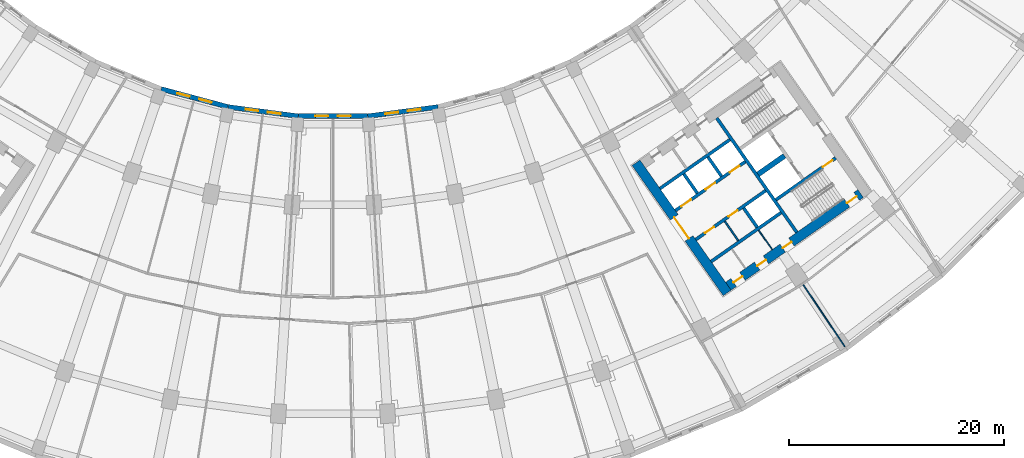
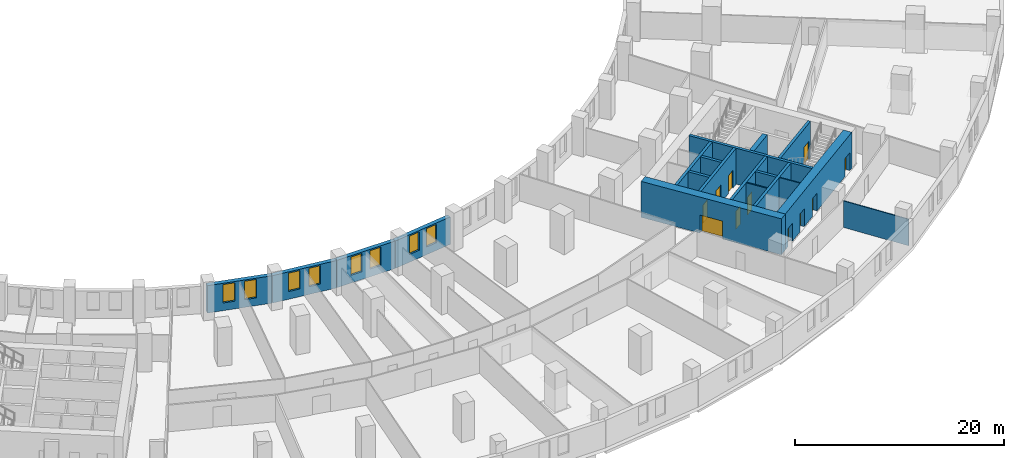
# One storey, part 10 of 19: 19 walls, 11 doors, 8 windows, 19 openings.
"""IFC4 building model written with IfcOpenShell, lengths in metres."""

from ifc_helpers import new_model, si_unit, direction, frame, frame_2d, origin, place, context, subcontext, project, spatial, rectangle, extrude, material, layer, layer_set, type_object, element, fill, save


model = new_model("IFC4")

# Units and contexts
model_context = context("Model", 3, precision=1e-05, world=origin(), true_north=direction((0.0, 1.0)))
body_context = subcontext(model_context, "Body", "Model", "MODEL_VIEW")
ifc_project = project(units=[si_unit("LENGTHUNIT", "METRE"), si_unit("AREAUNIT", "SQUARE_METRE"), si_unit("VOLUMEUNIT", "CUBIC_METRE"), si_unit("PLANEANGLEUNIT", "RADIAN"), si_unit("MASSUNIT", "GRAM", prefix="KILO")], contexts=[model_context])

# Site, building, storey
site_placement = place(None, origin())
site = spatial("IfcSite", under=ifc_project, at=site_placement, CompositionType="ELEMENT")
building_placement = place(site_placement, origin())
building = spatial("IfcBuilding", under=site, at=building_placement, Name="Qamariyya Broadcast Tower", CompositionType="ELEMENT")
storey_placement = place(building_placement, frame((0.0, 0.0, 36.0)))
storey = spatial("IfcBuildingStorey", under=building, at=storey_placement, Name="L05", CompositionType="ELEMENT", Elevation=36.0)

# Wall, opening, door
ifc_material_1 = material(Name="Concrete C70/85", Category="concrete")
ifc_layer_1 = layer(ifc_material_1, 0.89990234375)
ifc_layer_set_1 = layer_set([ifc_layer_1], Name="Core wall 900 mm Concrete C70/85")
wall_type_1 = type_object("IfcWallType", Name="Core wall 900 mm Concrete C70/85", PredefinedType="SHEAR", material=ifc_layer_set_1)
wall_1_placement = place(storey_placement, frame((36.716796875, -66.3369140625, 0.0), z_axis=(0.0, 0.0, 1.0), x_axis=(-0.573577477574, 0.819151315216, 0.0)))
wall_1 = element("IfcWall", 1, at=wall_1_placement, inside=storey, type_object=wall_type_1, Name="k-E-L05-WA", PredefinedType="SHEAR", context=body_context, shape_type="SweptSolid", body=[
    extrude(rectangle(XDim=14.800048828125, YDim=0.89990234375, at=frame_2d((7.39990234375, 0.0))), origin(), (0.0, 0.0, 1.0), 4.199951171875),
])
opening_1_placement = place(wall_1_placement, frame((6.199951171875, 0.0, 0.0)))
opening_1 = element("IfcOpeningElement", 2, at=opening_1_placement, cuts=wall_1, Name="Opening KD3-E1", PredefinedType="OPENING", context=body_context, shape_type="SweptSolid", body=[
    extrude(rectangle(XDim=2.39990234375, YDim=2.10009765625, at=frame_2d((1.199951171875, 1.050048828125))), frame((0.0, 0.4599609375, 0.0), z_axis=(0.0, -1.0, 0.0), x_axis=(1.0, 0.0, 0.0)), (0.0, 0.0, 1.0), 0.919921875),
])
ifc_material_2 = material(Name="Steel fire-resisting door leaf", Category="steel")
door_type_1 = type_object("IfcDoorType", Name="Lift lobby door KD3", OperationType="DOUBLE_DOOR_SINGLE_SWING", PredefinedType="DOOR", material=ifc_material_2)
door_1_placement = place(opening_1_placement, origin())
door_1 = element("IfcDoor", 3, at=door_1_placement, inside=storey, type_object=door_type_1, Name="k-E-L05-WA-D1", OperationType="DOUBLE_DOOR_SINGLE_SWING", OverallHeight=2.10009765625, OverallWidth=2.39990234375, PredefinedType="DOOR", context=body_context, shape_type="SweptSolid", body=[
    extrude(rectangle(XDim=2.39990234375, YDim=2.10009765625, at=frame_2d((1.199951171875, 1.050048828125))), frame((0.0, 0.02490234375, 0.0), z_axis=(0.0, -1.0, 0.0), x_axis=(1.0, 0.0, 0.0)), (0.0, 0.0, 1.0), 0.050048828125),
])
fill(opening_1, door_1)

# Wall, openings, doors
wall_2_placement = place(storey_placement, frame((36.827392578125, -65.710205078125, 0.0), z_axis=(0.0, 0.0, 1.0), x_axis=(0.819153391756, 0.573574511963, 0.0)))
wall_2 = element("IfcWall", 4, at=wall_2_placement, inside=storey, type_object=wall_type_1, Name="k-E-L05-WO", PredefinedType="SHEAR", context=body_context, shape_type="SweptSolid", body=[
    extrude(rectangle(XDim=15.04541015625, YDim=0.89990234375, at=frame_2d((7.522705078125, 0.0))), origin(), (0.0, 0.0, 1.0), 4.199951171875),
])
opening_2_placement = place(wall_2_placement, frame((0.60009765625, 0.0, 0.0)))
opening_2 = element("IfcOpeningElement", 5, at=opening_2_placement, cuts=wall_2, Name="Opening KD4-E1", PredefinedType="OPENING", context=body_context, shape_type="SweptSolid", body=[
    extrude(rectangle(XDim=1.0, YDim=2.10009765625, at=frame_2d((0.5, 1.050048828125))), frame((0.0, 0.4599609375, 0.0), z_axis=(0.0, -1.0, 0.0), x_axis=(1.0, 0.0, 0.0)), (0.0, 0.0, 1.0), 0.919921875),
])
opening_3_placement = place(wall_2_placement, frame((3.27490234375, 0.0, 0.0)))
opening_3 = element("IfcOpeningElement", 6, at=opening_3_placement, cuts=wall_2, Name="Opening KD4-E2", PredefinedType="OPENING", context=body_context, shape_type="SweptSolid", body=[
    extrude(rectangle(XDim=1.0, YDim=2.10009765625, at=frame_2d((0.5, 1.050048828125))), frame((0.0, 0.4599609375, 0.0), z_axis=(0.0, -1.0, 0.0), x_axis=(1.0, 0.0, 0.0)), (0.0, 0.0, 1.0), 0.919921875),
])
opening_4_placement = place(wall_2_placement, frame((6.175048828125, 0.0, 0.0)))
opening_4 = element("IfcOpeningElement", 7, at=opening_4_placement, cuts=wall_2, Name="Opening KD4-E3", PredefinedType="OPENING", context=body_context, shape_type="SweptSolid", body=[
    extrude(rectangle(XDim=1.0, YDim=2.10009765625, at=frame_2d((0.5, 1.050048828125))), frame((0.0, 0.4599609375, 0.0), z_axis=(0.0, -1.0, 0.0), x_axis=(1.0, 0.0, 0.0)), (0.0, 0.0, 1.0), 0.919921875),
])
opening_5_placement = place(wall_2_placement, frame((13.495361328125, 0.0, 0.0)))
opening_5 = element("IfcOpeningElement", 8, at=opening_5_placement, cuts=wall_2, Name="Opening KD1-E3", PredefinedType="OPENING", context=body_context, shape_type="SweptSolid", body=[
    extrude(rectangle(XDim=1.10009765625, YDim=2.10009765625, at=frame_2d((0.550048828125, 1.050048828125))), frame((0.0, 0.4599609375, 0.0), z_axis=(0.0, -1.0, 0.0), x_axis=(1.0, 0.0, 0.0)), (0.0, 0.0, 1.0), 0.919921875),
])
door_type_2 = type_object("IfcDoorType", Name="Riser and plant door KD4", OperationType="SINGLE_SWING_LEFT", PredefinedType="DOOR", material=ifc_material_2)
door_2_placement = place(opening_2_placement, origin())
door_2 = element("IfcDoor", 9, at=door_2_placement, inside=storey, type_object=door_type_2, Name="k-E-L05-WO-D10", OperationType="SINGLE_SWING_RIGHT", OverallHeight=2.10009765625, OverallWidth=1.0, PredefinedType="DOOR", context=body_context, shape_type="SweptSolid", body=[
    extrude(rectangle(XDim=1.0, YDim=2.10009765625, at=frame_2d((0.5, 1.050048828125))), frame((0.0, 0.02490234375, 0.0), z_axis=(0.0, -1.0, 0.0), x_axis=(1.0, 0.0, 0.0)), (0.0, 0.0, 1.0), 0.050048828125),
])
fill(opening_2, door_2)
door_3_placement = place(opening_3_placement, origin())
door_3 = element("IfcDoor", 10, at=door_3_placement, inside=storey, type_object=door_type_2, Name="k-E-L05-WO-D11", OperationType="SINGLE_SWING_LEFT", OverallHeight=2.10009765625, OverallWidth=1.0, PredefinedType="DOOR", context=body_context, shape_type="SweptSolid", body=[
    extrude(rectangle(XDim=1.0, YDim=2.10009765625, at=frame_2d((0.5, 1.050048828125))), frame((0.0, 0.02490234375, 0.0), z_axis=(0.0, -1.0, 0.0), x_axis=(1.0, 0.0, 0.0)), (0.0, 0.0, 1.0), 0.050048828125),
])
fill(opening_3, door_3)
door_4_placement = place(opening_4_placement, origin())
door_4 = element("IfcDoor", 11, at=door_4_placement, inside=storey, type_object=door_type_2, Name="k-E-L05-WO-D12", OperationType="SINGLE_SWING_RIGHT", OverallHeight=2.10009765625, OverallWidth=1.0, PredefinedType="DOOR", context=body_context, shape_type="SweptSolid", body=[
    extrude(rectangle(XDim=1.0, YDim=2.10009765625, at=frame_2d((0.5, 1.050048828125))), frame((0.0, 0.02490234375, 0.0), z_axis=(0.0, -1.0, 0.0), x_axis=(1.0, 0.0, 0.0)), (0.0, 0.0, 1.0), 0.050048828125),
])
fill(opening_4, door_4)
door_type_3 = type_object("IfcDoorType", Name="Stair door KD1", OperationType="SINGLE_SWING_LEFT", PredefinedType="DOOR", material=ifc_material_2)
door_5_placement = place(opening_5_placement, origin())
door_5 = element("IfcDoor", 12, at=door_5_placement, inside=storey, type_object=door_type_3, Name="k-E-L05-WO-D18", OperationType="SINGLE_SWING_LEFT", OverallHeight=2.10009765625, OverallWidth=1.10009765625, PredefinedType="DOOR", context=body_context, shape_type="SweptSolid", body=[
    extrude(rectangle(XDim=1.10009765625, YDim=2.10009765625, at=frame_2d((0.550048828125, 1.050048828125))), frame((0.0, 0.02490234375, 0.0), z_axis=(0.0, -1.0, 0.0), x_axis=(1.0, 0.0, 0.0)), (0.0, 0.0, 1.0), 0.050048828125),
])
fill(opening_5, door_5)

# Walls
ifc_material_3 = material(Name="Concrete C60/75", Category="concrete")
ifc_layer_2 = layer(ifc_material_3, 0.5)
ifc_layer_set_2 = layer_set([ifc_layer_2], Name="Fire-fighting lobby divider wall 500 mm Concrete C60/75")
wall_type_2 = type_object("IfcWallType", Name="Fire-fighting lobby divider wall 500 mm Concrete C60/75", PredefinedType="SOLIDWALL", material=ifc_layer_set_2)
wall_3_placement = place(storey_placement, frame((39.59912109375, -55.28515625, 0.0), z_axis=(0.0, 0.0, 1.0), x_axis=(0.819136323161, 0.573598887793, 0.0)))
element("IfcWall", 13, at=wall_3_placement, inside=storey, type_object=wall_type_2, Name="k-E-L05-FD", PredefinedType="SOLIDWALL", context=body_context, shape_type="SweptSolid", body=[
    extrude(rectangle(XDim=2.999755859375, YDim=0.5, at=frame_2d((1.5, 0.0))), origin(), (0.0, 0.0, 1.0), 4.199951171875),
])
ifc_material_4 = material(Name="Gypsum board partition on steel studs", Category="steel")
ifc_layer_3 = layer(ifc_material_4, 0.14990234375)
ifc_layer_set_3 = layer_set([ifc_layer_3], Name="Gypsum board partition 150 mm")
wall_type_3 = type_object("IfcWallType", Name="Gypsum board partition 150 mm", PredefinedType="PARTITIONING", material=ifc_layer_set_3)
wall_4_placement = place(storey_placement, frame((36.49462890625, -59.65625, 0.0), z_axis=(0.0, 0.0, 1.0), x_axis=(0.573633636671, -0.819111989218, 0.0)))
element("IfcWall", 14, at=wall_4_placement, inside=storey, type_object=wall_type_3, Name="k-E-L05-SC320", PredefinedType="PARTITIONING", context=body_context, shape_type="SweptSolid", body=[
    extrude(rectangle(XDim=2.199951171875, YDim=0.14990234375, at=frame_2d((1.10009765625, 0.0))), origin(), (0.0, 0.0, 1.0), 4.199951171875),
])
ifc_layer_4 = layer(ifc_material_3, 0.300048828125)
ifc_layer_set_4 = layer_set([ifc_layer_4], Name="Lift shaft wall 300 mm Concrete C60/75")
wall_type_4 = type_object("IfcWallType", Name="Lift shaft wall 300 mm Concrete C60/75", PredefinedType="SOLIDWALL", material=ifc_layer_set_4)
wall_5_placement = place(storey_placement, frame((43.204345703125, -60.69580078125, 0.0), z_axis=(0.0, 0.0, 1.0), x_axis=(-0.573571992966, 0.819155155563, 0.0)))
element("IfcWall", 15, at=wall_5_placement, inside=storey, type_object=wall_type_4, Name="k-E-L05-WL", PredefinedType="SOLIDWALL", context=body_context, shape_type="SweptSolid", body=[
    extrude(rectangle(XDim=13.000244140625, YDim=0.300048828125, at=frame_2d((6.5, 0.0))), origin(), (0.0, 0.0, 1.0), 4.199951171875),
])

# Wall, openings, doors
wall_6_placement = place(storey_placement, frame((31.89453125, -58.66552734375, 0.0), z_axis=(0.0, 0.0, 1.0), x_axis=(0.819166993208, 0.573555086491, 0.0)))
wall_6 = element("IfcWall", 16, at=wall_6_placement, inside=storey, type_object=wall_type_4, Name="k-E-L05-NF0", PredefinedType="SOLIDWALL", context=body_context, shape_type="SweptSolid", body=[
    extrude(rectangle(XDim=7.9501953125, YDim=0.300048828125, at=frame_2d((3.97509765625, 0.0))), origin(), (0.0, 0.0, 1.0), 4.199951171875),
])
opening_6_placement = place(wall_6_placement, frame((0.675048828125, 0.0, 0.0)))
opening_6 = element("IfcOpeningElement", 17, at=opening_6_placement, cuts=wall_6, Name="Opening LD", PredefinedType="OPENING", context=body_context, shape_type="SweptSolid", body=[
    extrude(rectangle(XDim=1.10009765625, YDim=2.10009765625, at=frame_2d((0.550048828125, 1.050048828125))), frame((0.0, 0.159912109375, 0.0), z_axis=(0.0, -1.0, 0.0), x_axis=(1.0, 0.0, 0.0)), (0.0, 0.0, 1.0), 0.320068359375),
])
opening_7_placement = place(wall_6_placement, frame((3.425048828125, 0.0, 0.0)))
opening_7 = element("IfcOpeningElement", 18, at=opening_7_placement, cuts=wall_6, Name="Opening LD", PredefinedType="OPENING", context=body_context, shape_type="SweptSolid", body=[
    extrude(rectangle(XDim=1.10009765625, YDim=2.10009765625, at=frame_2d((0.550048828125, 1.050048828125))), frame((0.0, 0.159912109375, 0.0), z_axis=(0.0, -1.0, 0.0), x_axis=(1.0, 0.0, 0.0)), (0.0, 0.0, 1.0), 0.320068359375),
])
opening_8_placement = place(wall_6_placement, frame((6.175048828125, 0.0, 0.0)))
opening_8 = element("IfcOpeningElement", 19, at=opening_8_placement, cuts=wall_6, Name="Opening LD", PredefinedType="OPENING", context=body_context, shape_type="SweptSolid", body=[
    extrude(rectangle(XDim=1.10009765625, YDim=2.10009765625, at=frame_2d((0.550048828125, 1.050048828125))), frame((0.0, 0.159912109375, 0.0), z_axis=(0.0, -1.0, 0.0), x_axis=(1.0, 0.0, 0.0)), (0.0, 0.0, 1.0), 0.320068359375),
])
door_type_4 = type_object("IfcDoorType", Name="Lift landing door LD", OperationType="DOUBLE_DOOR_SLIDING", PredefinedType="DOOR", material=ifc_material_2)
door_6_placement = place(opening_6_placement, origin())
door_6 = element("IfcDoor", 20, at=door_6_placement, inside=storey, type_object=door_type_4, Name="k-E-L05-NF0-D2", OperationType="DOUBLE_DOOR_SLIDING", OverallHeight=2.10009765625, OverallWidth=1.10009765625, PredefinedType="DOOR", context=body_context, shape_type="SweptSolid", body=[
    extrude(rectangle(XDim=1.10009765625, YDim=2.10009765625, at=frame_2d((0.550048828125, 1.050048828125))), frame((0.0, 0.02490234375, 0.0), z_axis=(0.0, -1.0, 0.0), x_axis=(1.0, 0.0, 0.0)), (0.0, 0.0, 1.0), 0.050048828125),
])
fill(opening_6, door_6)
door_7_placement = place(opening_7_placement, origin())
door_7 = element("IfcDoor", 21, at=door_7_placement, inside=storey, type_object=door_type_4, Name="k-E-L05-NF0-D3", OperationType="DOUBLE_DOOR_SLIDING", OverallHeight=2.10009765625, OverallWidth=1.10009765625, PredefinedType="DOOR", context=body_context, shape_type="SweptSolid", body=[
    extrude(rectangle(XDim=1.10009765625, YDim=2.10009765625, at=frame_2d((0.550048828125, 1.050048828125))), frame((0.0, 0.02490234375, 0.0), z_axis=(0.0, -1.0, 0.0), x_axis=(1.0, 0.0, 0.0)), (0.0, 0.0, 1.0), 0.050048828125),
])
fill(opening_7, door_7)
door_8_placement = place(opening_8_placement, origin())
door_8 = element("IfcDoor", 22, at=door_8_placement, inside=storey, type_object=door_type_4, Name="k-E-L05-NF0-D4", OperationType="DOUBLE_DOOR_SLIDING", OverallHeight=2.10009765625, OverallWidth=1.10009765625, PredefinedType="DOOR", context=body_context, shape_type="SweptSolid", body=[
    extrude(rectangle(XDim=1.10009765625, YDim=2.10009765625, at=frame_2d((0.550048828125, 1.050048828125))), frame((0.0, 0.02490234375, 0.0), z_axis=(0.0, -1.0, 0.0), x_axis=(1.0, 0.0, 0.0)), (0.0, 0.0, 1.0), 0.050048828125),
])
fill(opening_8, door_8)

# Walls
wall_7_placement = place(storey_placement, frame((30.460693359375, -56.61767578125, 0.0), z_axis=(0.0, 0.0, 1.0), x_axis=(0.819142461705, 0.573590121456, 0.0)))
element("IfcWall", 23, at=wall_7_placement, inside=storey, type_object=wall_type_4, Name="k-E-L05-NB0", PredefinedType="SOLIDWALL", context=body_context, shape_type="SweptSolid", body=[
    extrude(rectangle(XDim=7.949951171875, YDim=0.300048828125, at=frame_2d((3.97509765625, 0.0))), origin(), (0.0, 0.0, 1.0), 4.199951171875),
])
wall_8_placement = place(storey_placement, frame((33.9384765625, -57.051513671875, 0.0), z_axis=(0.0, 0.0, 1.0), x_axis=(-0.573581496053, 0.819148501424, 0.0)))
element("IfcWall", 24, at=wall_8_placement, inside=storey, type_object=wall_type_4, Name="k-E-L05-ND0", PredefinedType="SOLIDWALL", context=body_context, shape_type="SweptSolid", body=[
    extrude(rectangle(XDim=2.2001953125, YDim=0.300048828125, at=frame_2d((1.10009765625, 0.0))), origin(), (0.0, 0.0, 1.0), 4.199951171875),
])
wall_9_placement = place(storey_placement, frame((36.19091796875, -55.47412109375, 0.0), z_axis=(0.0, 0.0, 1.0), x_axis=(-0.573507030513, 0.819200638399, 0.0)))
element("IfcWall", 25, at=wall_9_placement, inside=storey, type_object=wall_type_4, Name="k-E-L05-ND1", PredefinedType="SOLIDWALL", context=body_context, shape_type="SweptSolid", body=[
    extrude(rectangle(XDim=2.199951171875, YDim=0.300048828125, at=frame_2d((1.10009765625, 0.0))), origin(), (0.0, 0.0, 1.0), 4.199951171875),
])

# Wall, openings, doors
wall_10_placement = place(storey_placement, frame((33.787353515625, -61.368896484375, 0.0), z_axis=(0.0, 0.0, 1.0), x_axis=(0.819152564888, 0.573575692858, 0.0)))
wall_10 = element("IfcWall", 26, at=wall_10_placement, inside=storey, type_object=wall_type_4, Name="k-E-L05-SF0", PredefinedType="SOLIDWALL", context=body_context, shape_type="SweptSolid", body=[
    extrude(rectangle(XDim=7.9501953125, YDim=0.300048828125, at=frame_2d((3.97509765625, 0.0))), origin(), (0.0, 0.0, 1.0), 4.199951171875),
])
opening_9_placement = place(wall_10_placement, frame((1.0625, 0.0, 0.0)))
opening_9 = element("IfcOpeningElement", 27, at=opening_9_placement, cuts=wall_10, Name="Opening KD6-E1", PredefinedType="OPENING", context=body_context, shape_type="SweptSolid", body=[
    extrude(rectangle(XDim=1.0, YDim=2.10009765625, at=frame_2d((0.5, 1.050048828125))), frame((0.0, 0.159912109375, 0.0), z_axis=(0.0, -1.0, 0.0), x_axis=(1.0, 0.0, 0.0)), (0.0, 0.0, 1.0), 0.320068359375),
])
opening_10_placement = place(wall_10_placement, frame((3.737548828125, 0.0, 0.0)))
opening_10 = element("IfcOpeningElement", 28, at=opening_10_placement, cuts=wall_10, Name="Opening KD6-E2", PredefinedType="OPENING", context=body_context, shape_type="SweptSolid", body=[
    extrude(rectangle(XDim=1.0, YDim=2.10009765625, at=frame_2d((0.5, 1.050048828125))), frame((0.0, 0.159912109375, 0.0), z_axis=(0.0, -1.0, 0.0), x_axis=(1.0, 0.0, 0.0)), (0.0, 0.0, 1.0), 0.320068359375),
])
door_type_5 = type_object("IfcDoorType", Name="Core room door KD6", OperationType="SINGLE_SWING_LEFT", PredefinedType="DOOR", material=ifc_material_2)
door_9_placement = place(opening_9_placement, origin())
door_9 = element("IfcDoor", 29, at=door_9_placement, inside=storey, type_object=door_type_5, Name="k-E-L05-SF0-D5", OperationType="SINGLE_SWING_LEFT", OverallHeight=2.10009765625, OverallWidth=1.0, PredefinedType="DOOR", context=body_context, shape_type="SweptSolid", body=[
    extrude(rectangle(XDim=1.0, YDim=2.10009765625, at=frame_2d((0.5, 1.050048828125))), frame((0.0, 0.02490234375, 0.0), z_axis=(0.0, -1.0, 0.0), x_axis=(1.0, 0.0, 0.0)), (0.0, 0.0, 1.0), 0.050048828125),
])
fill(opening_9, door_9)
door_10_placement = place(opening_10_placement, origin())
door_10 = element("IfcDoor", 30, at=door_10_placement, inside=storey, type_object=door_type_5, Name="k-E-L05-SF0-D6", OperationType="SINGLE_SWING_RIGHT", OverallHeight=2.10009765625, OverallWidth=1.0, PredefinedType="DOOR", context=body_context, shape_type="SweptSolid", body=[
    extrude(rectangle(XDim=1.0, YDim=2.10009765625, at=frame_2d((0.5, 1.050048828125))), frame((0.0, 0.02490234375, 0.0), z_axis=(0.0, -1.0, 0.0), x_axis=(1.0, 0.0, 0.0)), (0.0, 0.0, 1.0), 0.050048828125),
])
fill(opening_10, door_10)

# Walls
wall_11_placement = place(storey_placement, frame((35.22119140625, -63.41650390625, 0.0), z_axis=(0.0, 0.0, 1.0), x_axis=(0.819166993208, 0.573555086491, 0.0)))
element("IfcWall", 31, at=wall_11_placement, inside=storey, type_object=wall_type_4, Name="k-E-L05-SB0", PredefinedType="SOLIDWALL", context=body_context, shape_type="SweptSolid", body=[
    extrude(rectangle(XDim=7.9501953125, YDim=0.300048828125, at=frame_2d((3.97509765625, 0.0))), origin(), (0.0, 0.0, 1.0), 4.199951171875),
])
wall_12_placement = place(storey_placement, frame((38.255859375, -58.423095703125, 0.0), z_axis=(0.0, 0.0, 1.0), x_axis=(0.573633636671, -0.819111989218, 0.0)))
element("IfcWall", 32, at=wall_12_placement, inside=storey, type_object=wall_type_4, Name="k-E-L05-SD1", PredefinedType="SOLIDWALL", context=body_context, shape_type="SweptSolid", body=[
    extrude(rectangle(XDim=2.199951171875, YDim=0.300048828125, at=frame_2d((1.10009765625, 0.0))), origin(), (0.0, 0.0, 1.0), 4.199951171875),
])

# Wall, opening, door
wall_13_placement = place(storey_placement, frame((41.262451171875, -57.66064453125, 0.0), z_axis=(0.0, 0.0, 1.0), x_axis=(0.819164398642, 0.573558792102, 0.0)))
wall_13 = element("IfcWall", 33, at=wall_13_placement, inside=storey, type_object=wall_type_4, Name="k-E-L05-SW", PredefinedType="SOLIDWALL", context=body_context, shape_type="SweptSolid", body=[
    extrude(rectangle(XDim=6.795166015625, YDim=0.300048828125, at=frame_2d((3.3974609375, 0.0))), origin(), (0.0, 0.0, 1.0), 4.199951171875),
])
opening_11_placement = place(wall_13_placement, frame((5.3203125, 0.0, 0.0)))
opening_11 = element("IfcOpeningElement", 34, at=opening_11_placement, cuts=wall_13, Name="Opening KD1-E4", PredefinedType="OPENING", context=body_context, shape_type="SweptSolid", body=[
    extrude(rectangle(XDim=1.10009765625, YDim=2.10009765625, at=frame_2d((0.550048828125, 1.050048828125))), frame((0.0, 0.159912109375, 0.0), z_axis=(0.0, -1.0, 0.0), x_axis=(1.0, 0.0, 0.0)), (0.0, 0.0, 1.0), 0.320068359375),
])
door_11_placement = place(opening_11_placement, origin())
door_11 = element("IfcDoor", 35, at=door_11_placement, inside=storey, type_object=door_type_3, Name="k-E-L05-SW-D19", OperationType="SINGLE_SWING_LEFT", OverallHeight=2.10009765625, OverallWidth=1.10009765625, PredefinedType="DOOR", context=body_context, shape_type="SweptSolid", body=[
    extrude(rectangle(XDim=1.10009765625, YDim=2.10009765625, at=frame_2d((0.550048828125, 1.050048828125))), frame((0.0, 0.02490234375, 0.0), z_axis=(0.0, -1.0, 0.0), x_axis=(1.0, 0.0, 0.0)), (0.0, 0.0, 1.0), 0.050048828125),
])
fill(opening_11, door_11)

# Wall
ifc_material_5 = material(Name="Gypsum board partition")
ifc_layer_5 = layer(ifc_material_5, 0.10009765625)
ifc_layer_set_5 = layer_set([ifc_layer_5], Name="Partition 100")
wall_type_5 = type_object("IfcWallType", Name="Partition 100", PredefinedType="PARTITIONING", material=ifc_layer_set_5)
wall_14_placement = place(storey_placement, frame((47.66796875, -71.340087890625, 0.0), z_axis=(0.0, 0.0, 1.0), x_axis=(-0.55558668503, 0.831458619185, 0.0)))
element("IfcWall", 36, at=wall_14_placement, inside=storey, type_object=wall_type_5, Name="Partition L05-061", PredefinedType="PARTITIONING", context=body_context, shape_type="SweptSolid", body=[
    extrude(rectangle(XDim=6.925048828125, YDim=0.10009765625, at=frame_2d((3.46240234375, 0.0))), origin(), (0.0, 0.0, 1.0), 3.10009765625),
])

# Wall, openings, windows
ifc_material_6 = material(Name="Precast concrete C40/50 with terracotta facing", Category="masonry")
ifc_layer_6 = layer(ifc_material_6, 0.449951171875)
ifc_layer_set_6 = layer_set([ifc_layer_6], Name="Precast concrete C40/50 wall 450, terracotta faced")
wall_type_6 = type_object("IfcWallType", Name="Precast concrete C40/50 wall 450, terracotta faced", PredefinedType="SOLIDWALL", material=ifc_layer_set_6)
wall_15_placement = place(storey_placement, frame((3.209716796875, -49.868408203125, 0.0), z_axis=(0.0, 0.0, 1.0), x_axis=(-1.0, 0.0, 0.0)))
wall_15 = element("IfcWall", 37, at=wall_15_placement, inside=storey, type_object=wall_type_6, Name="e-wl-L05-in100", PredefinedType="SOLIDWALL", context=body_context, shape_type="SweptSolid", body=[
    extrude(rectangle(XDim=6.41943359375, YDim=0.449951171875, at=frame_2d((3.209716796875, 0.0))), origin(), (0.0, 0.0, 1.0), 3.199951171875),
])
opening_12_placement = place(wall_15_placement, frame((3.65966796875, 0.0, 0.89990234375)))
opening_12 = element("IfcOpeningElement", 38, at=opening_12_placement, cuts=wall_15, Name="Opening W3", PredefinedType="OPENING", context=body_context, shape_type="SweptSolid", body=[
    extrude(rectangle(XDim=1.199951171875, YDim=2.14990234375, at=frame_2d((0.60009765625, 1.074951171875))), frame((0.0, 0.23486328125, 0.0), z_axis=(0.0, -1.0, 0.0), x_axis=(1.0, 0.0, 0.0)), (0.0, 0.0, 1.0), 0.469970703125),
])
opening_13_placement = place(wall_15_placement, frame((1.5595703125, 0.0, 0.89990234375)))
opening_13 = element("IfcOpeningElement", 39, at=opening_13_placement, cuts=wall_15, Name="Opening W3", PredefinedType="OPENING", context=body_context, shape_type="SweptSolid", body=[
    extrude(rectangle(XDim=1.199951171875, YDim=2.14990234375, at=frame_2d((0.60009765625, 1.074951171875))), frame((0.0, 0.23486328125, 0.0), z_axis=(0.0, -1.0, 0.0), x_axis=(1.0, 0.0, 0.0)), (0.0, 0.0, 1.0), 0.469970703125),
])
ifc_material_7 = material(Name="Clear low-e double glazed unit in aluminium frame", Category="aluminium")
window_type = type_object("IfcWindowType", Name="Podium window 1200 x 2150", PartitioningType="SINGLE_PANEL", PredefinedType="WINDOW", material=ifc_material_7)
window_1_placement = place(opening_12_placement, origin())
window_1 = element("IfcWindow", 40, at=window_1_placement, inside=storey, type_object=window_type, Name="e-w-L05-in10a", OverallHeight=2.14990234375, OverallWidth=1.199951171875, PartitioningType="SINGLE_PANEL", PredefinedType="WINDOW", context=body_context, shape_type="SweptSolid", body=[
    extrude(rectangle(XDim=1.199951171875, YDim=2.14990234375, at=frame_2d((0.60009765625, 1.074951171875))), frame((0.0, 0.030029296875, 0.0), z_axis=(0.0, -1.0, 0.0), x_axis=(1.0, 0.0, 0.0)), (0.0, 0.0, 1.0), 0.06005859375),
])
fill(opening_12, window_1)
window_2_placement = place(opening_13_placement, origin())
window_2 = element("IfcWindow", 41, at=window_2_placement, inside=storey, type_object=window_type, Name="e-w-L05-in10b", OverallHeight=2.14990234375, OverallWidth=1.199951171875, PartitioningType="SINGLE_PANEL", PredefinedType="WINDOW", context=body_context, shape_type="SweptSolid", body=[
    extrude(rectangle(XDim=1.199951171875, YDim=2.14990234375, at=frame_2d((0.60009765625, 1.074951171875))), frame((0.0, 0.030029296875, 0.0), z_axis=(0.0, -1.0, 0.0), x_axis=(1.0, 0.0, 0.0)), (0.0, 0.0, 1.0), 0.06005859375),
])
fill(opening_13, window_2)

wall_16_placement = place(storey_placement, frame((9.779541015625, -49.01123046875, 0.0), z_axis=(0.0, 0.0, 1.0), x_axis=(-0.991445350147, -0.130522479563, 0.0)))
wall_16 = element("IfcWall", 42, at=wall_16_placement, inside=storey, type_object=wall_type_6, Name="e-wl-L05-in110", PredefinedType="SOLIDWALL", context=body_context, shape_type="SweptSolid", body=[
    extrude(rectangle(XDim=6.59716796875, YDim=0.449951171875, at=frame_2d((3.298583984375, 0.0))), origin(), (0.0, 0.0, 1.0), 3.199951171875),
])
opening_14_placement = place(wall_16_placement, frame((3.74853515625, 0.0, 0.89990234375)))
opening_14 = element("IfcOpeningElement", 43, at=opening_14_placement, cuts=wall_16, Name="Opening W3", PredefinedType="OPENING", context=body_context, shape_type="SweptSolid", body=[
    extrude(rectangle(XDim=1.199951171875, YDim=2.14990234375, at=frame_2d((0.60009765625, 1.074951171875))), frame((0.0, 0.23486328125, 0.0), z_axis=(0.0, -1.0, 0.0), x_axis=(1.0, 0.0, 0.0)), (0.0, 0.0, 1.0), 0.469970703125),
])
opening_15_placement = place(wall_16_placement, frame((1.6484375, 0.0, 0.89990234375)))
opening_15 = element("IfcOpeningElement", 44, at=opening_15_placement, cuts=wall_16, Name="Opening W3", PredefinedType="OPENING", context=body_context, shape_type="SweptSolid", body=[
    extrude(rectangle(XDim=1.199951171875, YDim=2.14990234375, at=frame_2d((0.60009765625, 1.074951171875))), frame((0.0, 0.23486328125, 0.0), z_axis=(0.0, -1.0, 0.0), x_axis=(1.0, 0.0, 0.0)), (0.0, 0.0, 1.0), 0.469970703125),
])
window_3_placement = place(opening_14_placement, origin())
window_3 = element("IfcWindow", 45, at=window_3_placement, inside=storey, type_object=window_type, Name="e-w-L05-in11a", OverallHeight=2.14990234375, OverallWidth=1.199951171875, PartitioningType="SINGLE_PANEL", PredefinedType="WINDOW", context=body_context, shape_type="SweptSolid", body=[
    extrude(rectangle(XDim=1.199951171875, YDim=2.14990234375, at=frame_2d((0.60009765625, 1.074951171875))), frame((0.0, 0.030029296875, 0.0), z_axis=(0.0, -1.0, 0.0), x_axis=(1.0, 0.0, 0.0)), (0.0, 0.0, 1.0), 0.06005859375),
])
fill(opening_14, window_3)
window_4_placement = place(opening_15_placement, origin())
window_4 = element("IfcWindow", 46, at=window_4_placement, inside=storey, type_object=window_type, Name="e-w-L05-in11b", OverallHeight=2.14990234375, OverallWidth=1.199951171875, PartitioningType="SINGLE_PANEL", PredefinedType="WINDOW", context=body_context, shape_type="SweptSolid", body=[
    extrude(rectangle(XDim=1.199951171875, YDim=2.14990234375, at=frame_2d((0.60009765625, 1.074951171875))), frame((0.0, 0.030029296875, 0.0), z_axis=(0.0, -1.0, 0.0), x_axis=(1.0, 0.0, 0.0)), (0.0, 0.0, 1.0), 0.06005859375),
])
fill(opening_15, window_4)

wall_17_placement = place(storey_placement, frame((-9.806640625, -49.0, 0.0), z_axis=(0.0, 0.0, 1.0), x_axis=(-0.965926830738, 0.25881529642, 0.0)))
wall_17 = element("IfcWall", 47, at=wall_17_placement, inside=storey, type_object=wall_type_6, Name="e-wl-L05-in80", PredefinedType="SOLIDWALL", context=body_context, shape_type="SweptSolid", body=[
    extrude(rectangle(XDim=6.419189453125, YDim=0.449951171875, at=frame_2d((3.20947265625, 0.0))), origin(), (0.0, 0.0, 1.0), 3.199951171875),
])
opening_16_placement = place(wall_17_placement, frame((3.65966796875, 0.0, 0.89990234375)))
opening_16 = element("IfcOpeningElement", 48, at=opening_16_placement, cuts=wall_17, Name="Opening W3", PredefinedType="OPENING", context=body_context, shape_type="SweptSolid", body=[
    extrude(rectangle(XDim=1.199951171875, YDim=2.14990234375, at=frame_2d((0.60009765625, 1.074951171875))), frame((0.0, 0.23486328125, 0.0), z_axis=(0.0, -1.0, 0.0), x_axis=(1.0, 0.0, 0.0)), (0.0, 0.0, 1.0), 0.469970703125),
])
opening_17_placement = place(wall_17_placement, frame((1.5595703125, 0.0, 0.89990234375)))
opening_17 = element("IfcOpeningElement", 49, at=opening_17_placement, cuts=wall_17, Name="Opening W3", PredefinedType="OPENING", context=body_context, shape_type="SweptSolid", body=[
    extrude(rectangle(XDim=1.199951171875, YDim=2.14990234375, at=frame_2d((0.60009765625, 1.074951171875))), frame((0.0, 0.23486328125, 0.0), z_axis=(0.0, -1.0, 0.0), x_axis=(1.0, 0.0, 0.0)), (0.0, 0.0, 1.0), 0.469970703125),
])
window_5_placement = place(opening_16_placement, origin())
window_5 = element("IfcWindow", 50, at=window_5_placement, inside=storey, type_object=window_type, Name="e-w-L05-in08a", OverallHeight=2.14990234375, OverallWidth=1.199951171875, PartitioningType="SINGLE_PANEL", PredefinedType="WINDOW", context=body_context, shape_type="SweptSolid", body=[
    extrude(rectangle(XDim=1.199951171875, YDim=2.14990234375, at=frame_2d((0.60009765625, 1.074951171875))), frame((0.0, 0.030029296875, 0.0), z_axis=(0.0, -1.0, 0.0), x_axis=(1.0, 0.0, 0.0)), (0.0, 0.0, 1.0), 0.06005859375),
])
fill(opening_16, window_5)
window_6_placement = place(opening_17_placement, origin())
window_6 = element("IfcWindow", 51, at=window_6_placement, inside=storey, type_object=window_type, Name="e-w-L05-in08b", OverallHeight=2.14990234375, OverallWidth=1.199951171875, PartitioningType="SINGLE_PANEL", PredefinedType="WINDOW", context=body_context, shape_type="SweptSolid", body=[
    extrude(rectangle(XDim=1.199951171875, YDim=2.14990234375, at=frame_2d((0.60009765625, 1.074951171875))), frame((0.0, 0.030029296875, 0.0), z_axis=(0.0, -1.0, 0.0), x_axis=(1.0, 0.0, 0.0)), (0.0, 0.0, 1.0), 0.06005859375),
])
fill(opening_17, window_6)

wall_18_placement = place(storey_placement, frame((-3.23876953125, -49.872314453125, 0.0), z_axis=(0.0, 0.0, 1.0), x_axis=(-0.991445350147, 0.130522479563, 0.0)))
wall_18 = element("IfcWall", 52, at=wall_18_placement, inside=storey, type_object=wall_type_6, Name="e-wl-L05-in90", PredefinedType="SOLIDWALL", context=body_context, shape_type="SweptSolid", body=[
    extrude(rectangle(XDim=6.59716796875, YDim=0.449951171875, at=frame_2d((3.298583984375, 0.0))), origin(), (0.0, 0.0, 1.0), 3.199951171875),
])
opening_18_placement = place(wall_18_placement, frame((3.74853515625, 0.0, 0.89990234375)))
opening_18 = element("IfcOpeningElement", 53, at=opening_18_placement, cuts=wall_18, Name="Opening W3", PredefinedType="OPENING", context=body_context, shape_type="SweptSolid", body=[
    extrude(rectangle(XDim=1.199951171875, YDim=2.14990234375, at=frame_2d((0.60009765625, 1.074951171875))), frame((0.0, 0.23486328125, 0.0), z_axis=(0.0, -1.0, 0.0), x_axis=(1.0, 0.0, 0.0)), (0.0, 0.0, 1.0), 0.469970703125),
])
opening_19_placement = place(wall_18_placement, frame((1.6484375, 0.0, 0.89990234375)))
opening_19 = element("IfcOpeningElement", 54, at=opening_19_placement, cuts=wall_18, Name="Opening W3", PredefinedType="OPENING", context=body_context, shape_type="SweptSolid", body=[
    extrude(rectangle(XDim=1.199951171875, YDim=2.14990234375, at=frame_2d((0.60009765625, 1.074951171875))), frame((0.0, 0.23486328125, 0.0), z_axis=(0.0, -1.0, 0.0), x_axis=(1.0, 0.0, 0.0)), (0.0, 0.0, 1.0), 0.469970703125),
])
window_7_placement = place(opening_18_placement, origin())
window_7 = element("IfcWindow", 55, at=window_7_placement, inside=storey, type_object=window_type, Name="e-w-L05-in09a", OverallHeight=2.14990234375, OverallWidth=1.199951171875, PartitioningType="SINGLE_PANEL", PredefinedType="WINDOW", context=body_context, shape_type="SweptSolid", body=[
    extrude(rectangle(XDim=1.199951171875, YDim=2.14990234375, at=frame_2d((0.60009765625, 1.074951171875))), frame((0.0, 0.030029296875, 0.0), z_axis=(0.0, -1.0, 0.0), x_axis=(1.0, 0.0, 0.0)), (0.0, 0.0, 1.0), 0.06005859375),
])
fill(opening_18, window_7)
window_8_placement = place(opening_19_placement, origin())
window_8 = element("IfcWindow", 56, at=window_8_placement, inside=storey, type_object=window_type, Name="e-w-L05-in09b", OverallHeight=2.14990234375, OverallWidth=1.199951171875, PartitioningType="SINGLE_PANEL", PredefinedType="WINDOW", context=body_context, shape_type="SweptSolid", body=[
    extrude(rectangle(XDim=1.199951171875, YDim=2.14990234375, at=frame_2d((0.60009765625, 1.074951171875))), frame((0.0, 0.030029296875, 0.0), z_axis=(0.0, -1.0, 0.0), x_axis=(1.0, 0.0, 0.0)), (0.0, 0.0, 1.0), 0.06005859375),
])
fill(opening_19, window_8)

# Wall
ifc_material_8 = material(Name="Fire-rated gypsum shaft liner on steel studs", Category="steel")
ifc_layer_7 = layer(ifc_material_8, 0.10009765625)
ifc_layer_set_7 = layer_set([ifc_layer_7], Name="Riser wall 100 mm")
wall_type_7 = type_object("IfcWallType", Name="Riser wall 100 mm", PredefinedType="PLUMBINGWALL", material=ifc_layer_set_7)
wall_19_placement = place(storey_placement, frame((39.64892578125, -60.49951171875, 0.0), z_axis=(0.0, 0.0, 1.0), x_axis=(0.573507030513, -0.819200638399, 0.0)))
element("IfcWall", 57, at=wall_19_placement, inside=storey, type_object=wall_type_7, Name="k-E-L05-SP530", PredefinedType="PLUMBINGWALL", context=body_context, shape_type="SweptSolid", body=[
    extrude(rectangle(XDim=2.199951171875, YDim=0.10009765625, at=frame_2d((1.10009765625, 0.0))), origin(), (0.0, 0.0, 1.0), 4.199951171875),
])

save(model, "model.ifc")
